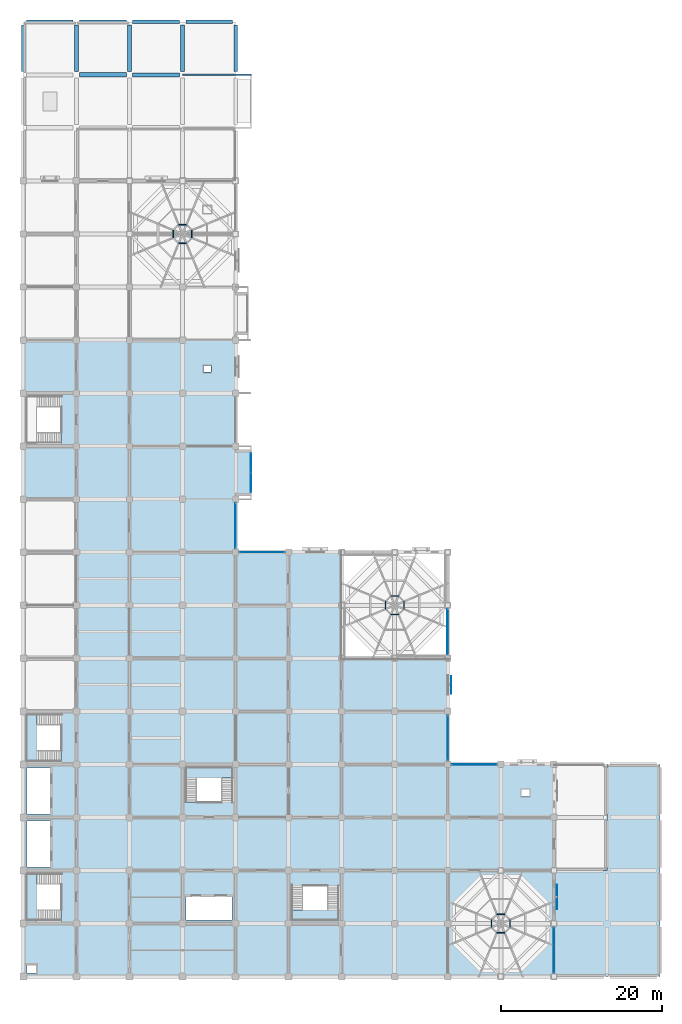
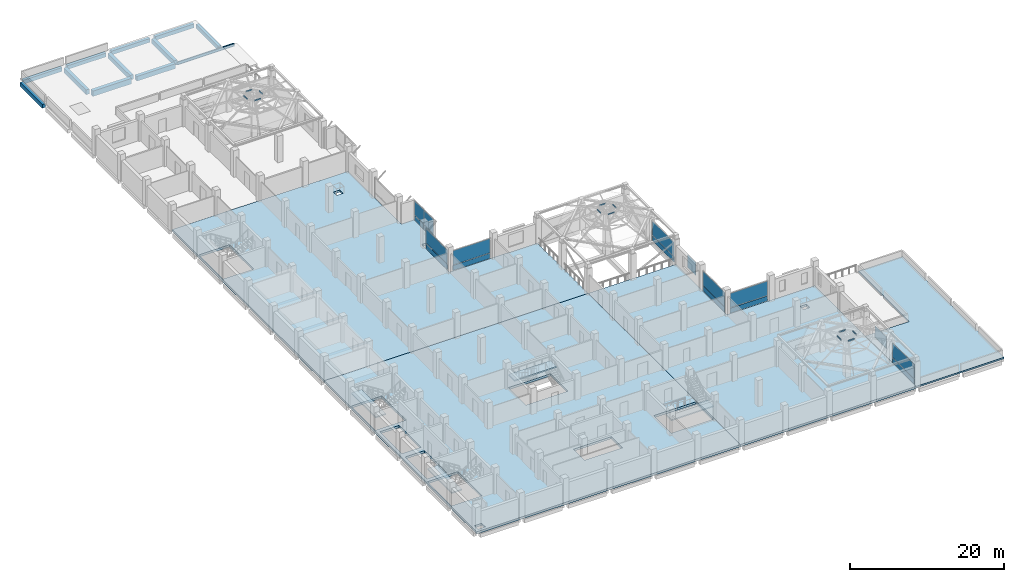
# One storey, part 12 of 25: 18 plates, 12 beams, 12 members, 8 slabs, 11 elements without a shape of their own.
"""IFC4 building model written with IfcOpenShell, lengths in metres."""

from ifc_helpers import new_model, si_unit, direction, frame, origin, origin_2d, place, context, subcontext, project, spatial, polyline, rectangle, hollow_rectangle, i_section, outline, extrude, material, layer, layer_set, material_profile, profile_set, type_object, element, aggregate, save


model = new_model("IFC4")

# Units and contexts
model_context = context("Model", 3, precision=1e-05, world=origin(), true_north=direction((0.0, 1.0)))
body_context = subcontext(model_context, "Body", "Model", "MODEL_VIEW")
ifc_project = project(units=[si_unit("LENGTHUNIT", "METRE"), si_unit("AREAUNIT", "SQUARE_METRE"), si_unit("VOLUMEUNIT", "CUBIC_METRE"), si_unit("PLANEANGLEUNIT", "RADIAN"), si_unit("MASSUNIT", "GRAM", prefix="KILO")], contexts=[model_context])

# Site, building, storey
site_placement = place(None, origin())
site = spatial("IfcSite", under=ifc_project, at=site_placement, CompositionType="ELEMENT")
building_placement = place(site_placement, origin())
building = spatial("IfcBuilding", under=site, at=building_placement, Name="Rusizi Kubbe Research Institute", CompositionType="ELEMENT")
storey_placement = place(building_placement, frame((0.0, 0.0, 14.39990234375)))
storey = spatial("IfcBuildingStorey", under=building, at=storey_placement, Name="L03", CompositionType="ELEMENT", Elevation=14.39990234375)

# Beams
ifc_material_1 = material(Name="Steel S355", Category="steel")
ifc_material_profile_1 = material_profile(ifc_material_1, i_section(OverallWidth=0.18994140625, OverallDepth=0.449951171875, WebThickness=0.009521484375, FlangeThickness=0.0146484375, at=origin_2d()), Name="IPE 450")
ifc_profile_set_1 = profile_set([ifc_material_profile_1], Name="Steel S355")
beam_type_1 = type_object("IfcBeamType", Name="BM-IPE450", PredefinedType="BEAM", material=ifc_profile_set_1)
beam_1_placement = place(storey_placement, frame((19.800048828125, 112.199951171875, -0.574951171875), z_axis=(1.0, 0.0, 0.0), x_axis=(0.0, 1.0, 0.0)))
element("IfcBeam", 1, at=beam_1_placement, inside=storey, type_object=beam_type_1, Name="Cumba Back-Spanned Cantilever Beam L03-3N", PredefinedType="BEAM", context=body_context, shape_type="SweptSolid", body=[
    extrude(i_section(OverallWidth=0.18994140625, OverallDepth=0.449951171875, WebThickness=0.009521484375, FlangeThickness=0.0146484375, at=origin_2d()), origin(), (0.0, 0.0, 1.0), 8.599853515625),
])
ifc_material_2 = material(Name="Concrete C40/50", Category="concrete")
ifc_material_profile_2 = material_profile(ifc_material_2, rectangle(XDim=0.449951171875, YDim=0.60009765625, at=origin_2d()), Name="RC450x600")
ifc_profile_set_2 = profile_set([ifc_material_profile_2], Name="Concrete C40/50")
beam_type_2 = type_object("IfcBeamType", Name="BM-RC450x600", PredefinedType="SPANDREL", material=ifc_profile_set_2)
for number, where, z_axis, x_axis, name in (
    (2, (0.39990234375, 118.800048828125, -0.64990234375), (1.0, 0.0, 0.0), (0.0, 1.0, 0.0), "Grid Beam H L03 (0,18)"),
    (3, (7.0, 118.800048828125, -0.64990234375), (1.0, 0.0, 0.0), (0.0, 1.0, 0.0), "Grid Beam H L03 (1,18)"),
):
    element("IfcBeam", number, at=place(storey_placement, frame(where, z_axis=z_axis, x_axis=x_axis)), inside=storey, type_object=beam_type_2, Name=name, PredefinedType="SPANDREL", context=body_context, shape_type="SweptSolid", body=[
        extrude(rectangle(XDim=0.449951171875, YDim=0.60009765625, at=origin_2d()), origin(), (0.0, 0.0, 1.0), 5.800048828125),
    ])
beam_2_placement = place(storey_placement, frame((13.60009765625, 118.800048828125, -0.64990234375), z_axis=(1.0, 0.0, 0.0), x_axis=(0.0, 1.0, 0.0)))
element("IfcBeam", 4, at=beam_2_placement, inside=storey, type_object=beam_type_2, Name="Grid Beam H L03 (2,18)", PredefinedType="SPANDREL", context=body_context, shape_type="SweptSolid", body=[
    extrude(rectangle(XDim=0.449951171875, YDim=0.60009765625, at=origin_2d()), origin(), (0.0, 0.0, 1.0), 5.7998046875),
])
beam_3_placement = place(storey_placement, frame((20.199951171875, 118.800048828125, -0.64990234375), z_axis=(1.0, 0.0, 0.0), x_axis=(0.0, 1.0, 0.0)))
element("IfcBeam", 5, at=beam_3_placement, inside=storey, type_object=beam_type_2, Name="Grid Beam H L03 (3,18)", PredefinedType="SPANDREL", context=body_context, shape_type="SweptSolid", body=[
    extrude(rectangle(XDim=0.449951171875, YDim=0.60009765625, at=origin_2d()), origin(), (0.0, 0.0, 1.0), 5.800048828125),
])
for number, where, z_axis, x_axis, name in (
    (6, (0.0, 112.60009765625, -0.64990234375), (0.0, 1.0, 0.0), (-1.0, 0.0, 0.0), "Grid Beam V L03 (0,17)"),
    (7, (26.39990234375, 112.60009765625, -0.64990234375), (0.0, 1.0, 0.0), (-1.0, 0.0, 0.0), "Grid Beam V L03 (4,17)"),
):
    element("IfcBeam", number, at=place(storey_placement, frame(where, z_axis=z_axis, x_axis=x_axis)), inside=storey, type_object=beam_type_2, Name=name, PredefinedType="SPANDREL", context=body_context, shape_type="SweptSolid", body=[
        extrude(rectangle(XDim=0.449951171875, YDim=0.60009765625, at=origin_2d()), origin(), (0.0, 0.0, 1.0), 5.7998046875),
    ])
ifc_material_3 = material(Name="Concrete C45/55", Category="concrete")
ifc_material_profile_3 = material_profile(ifc_material_3, rectangle(XDim=0.5, YDim=0.75, at=origin_2d()), Name="RC500x750B")
ifc_profile_set_3 = profile_set([ifc_material_profile_3], Name="Concrete C45/55")
beam_type_3 = type_object("IfcBeamType", Name="BM-RC500x750", PredefinedType="BEAM", material=ifc_profile_set_3)
for number, where, z_axis, x_axis, name in (
    (8, (13.60009765625, 112.199951171875, -0.724853515625), (1.0, 0.0, 0.0), (0.0, 1.0, 0.0), "Grid Beam H L03 (2,17)"),
    (9, (6.60009765625, 112.60009765625, -0.724853515625), (0.0, 1.0, 0.0), (-1.0, 0.0, 0.0), "Grid Beam V L03 (1,17)"),
    (10, (13.199951171875, 112.60009765625, -0.724853515625), (0.0, 1.0, 0.0), (-1.0, 0.0, 0.0), "Grid Beam V L03 (2,17)"),
    (11, (19.800048828125, 112.60009765625, -0.724853515625), (0.0, 1.0, 0.0), (-1.0, 0.0, 0.0), "Grid Beam V L03 (3,17)"),
):
    element("IfcBeam", number, at=place(storey_placement, frame(where, z_axis=z_axis, x_axis=x_axis)), inside=storey, type_object=beam_type_3, Name=name, PredefinedType="BEAM", context=body_context, shape_type="SweptSolid", body=[
        extrude(rectangle(XDim=0.5, YDim=0.75, at=origin_2d()), origin(), (0.0, 0.0, 1.0), 5.7998046875),
    ])
ifc_material_4 = material(Name="Concrete C45/55", Category="concrete")
ifc_material_profile_4 = material_profile(ifc_material_4, rectangle(XDim=0.550048828125, YDim=0.85009765625, at=origin_2d()), Name="RC550x850")
ifc_profile_set_4 = profile_set([ifc_material_profile_4], Name="Concrete C45/55")
beam_type_4 = type_object("IfcBeamType", Name="BM-RC550x850", PredefinedType="BEAM", material=ifc_profile_set_4)
beam_4_placement = place(storey_placement, frame((7.0, 112.199951171875, -0.77490234375), z_axis=(1.0, 0.0, 0.0), x_axis=(0.0, 1.0, 0.0)))
element("IfcBeam", 12, at=beam_4_placement, inside=storey, type_object=beam_type_4, Name="Grid Beam H L03 (1,17)", PredefinedType="BEAM", context=body_context, shape_type="SweptSolid", body=[
    extrude(rectangle(XDim=0.550048828125, YDim=0.85009765625, at=origin_2d()), origin(), (0.0, 0.0, 1.0), 5.800048828125),
])

# Members
ifc_material_5 = material(Name="Steel S355", Category="steel")
ifc_material_profile_5 = material_profile(ifc_material_5, hollow_rectangle(XDim=0.10009765625, YDim=0.179931640625, WallThickness=0.008056640625, at=origin_2d()), Name="RHS 180x100x8.0")
ifc_profile_set_5 = profile_set([ifc_material_profile_5], Name="Steel S355")
member_type = type_object("IfcMemberType", Name="MB-RHS180", PredefinedType="PURLIN", material=ifc_profile_set_5)
for number, where, z_axis, x_axis, name in (
    (13, (46.678466796875, 47.354736328125, 7.10009765625), (-1.0, 0.0, 0.0), (0.0, -1.0, 0.0), "Kubbe Dome Hoop Purlin Top DOME-ATR-2"),
    (14, (45.045166015625, 46.678466796875, 7.10009765625), (0.0, -1.0, 0.0), (1.0, 0.0, 0.0), "Kubbe Dome Hoop Purlin Top DOME-ATR-4"),
    (15, (45.7216796875, 45.045166015625, 7.10009765625), (1.0, 0.0, 0.0), (0.0, 1.0, 0.0), "Kubbe Dome Hoop Purlin Top DOME-ATR-6"),
    (16, (47.354736328125, 45.7216796875, 7.10009765625), (0.0, 1.0, 0.0), (-1.0, 0.0, 0.0), "Kubbe Dome Hoop Purlin Top DOME-ATR-8"),
    (17, (20.2783203125, 93.554931640625, 6.400146484375), (-1.0, 0.0, 0.0), (0.0, -1.0, 0.0), "Kubbe Dome Hoop Purlin Top DOME-NP1-2"),
    (18, (18.645263671875, 92.87841796875, 6.400146484375), (0.0, -1.0, 0.0), (1.0, 0.0, 0.0), "Kubbe Dome Hoop Purlin Top DOME-NP1-4"),
    (19, (19.321533203125, 91.2451171875, 6.400146484375), (1.0, 0.0, 0.0), (0.0, 1.0, 0.0), "Kubbe Dome Hoop Purlin Top DOME-NP1-6"),
    (20, (20.954833984375, 91.921630859375, 6.400146484375), (0.0, 1.0, 0.0), (-1.0, 0.0, 0.0), "Kubbe Dome Hoop Purlin Top DOME-NP1-8"),
    (21, (59.87841796875, 7.7548828125, 6.400146484375), (-1.0, 0.0, 0.0), (0.0, -1.0, 0.0), "Kubbe Dome Hoop Purlin Top DOME-EP1-2"),
    (22, (58.2451171875, 7.078369140625, 6.400146484375), (0.0, -1.0, 0.0), (1.0, 0.0, 0.0), "Kubbe Dome Hoop Purlin Top DOME-EP1-4"),
    (23, (58.921630859375, 5.445068359375, 6.400146484375), (1.0, 0.0, 0.0), (0.0, 1.0, 0.0), "Kubbe Dome Hoop Purlin Top DOME-EP1-6"),
    (24, (60.554931640625, 6.12158203125, 6.400146484375), (0.0, 1.0, 0.0), (-1.0, 0.0, 0.0), "Kubbe Dome Hoop Purlin Top DOME-EP1-8"),
):
    element("IfcMember", number, at=place(storey_placement, frame(where, z_axis=z_axis, x_axis=x_axis)), inside=storey, type_object=member_type, Name=name, PredefinedType="PURLIN", context=body_context, shape_type="SweptSolid", body=[
        extrude(hollow_rectangle(XDim=0.10009765625, YDim=0.179931640625, WallThickness=0.008056640625, at=origin_2d()), origin(), (0.0, 0.0, 1.0), 0.956787109375),
    ])

# Curtain wall, plate
ifc_material_6 = material(Name="Thermally Broken Aluminium and Low-E Glazing", Category="aluminium")
curtain_wall_type_1 = type_object("IfcCurtainWallType", Name="CW-06", PredefinedType="NOTDEFINED", material=ifc_material_6)
curtain_wall_1_placement = place(storey_placement, origin())
curtain_wall_1 = element("IfcCurtainWall", 25, at=curtain_wall_1_placement, inside=storey, type_object=curtain_wall_type_1, Name="Unitised Facade Curtain Wall CW-L03-H-04-08", PredefinedType="NOTDEFINED")
ifc_material_7 = material(Name="Double Low-E Solar Control Insulated Glass", Category="glass")
ifc_layer_1 = layer(ifc_material_7, 0.02392578125)
ifc_layer_set_1 = layer_set([ifc_layer_1], Name="Double Low-E Solar Control Insulated Glass")
plate_type_1 = type_object("IfcPlateType", Name="GL-01", PredefinedType="CURTAIN_PANEL", material=ifc_layer_set_1)
plate_1_placement = place(storey_placement, frame((29.699951171875, 52.800048828125, 0.93017578125), z_axis=(0.0, 0.0, 1.0), x_axis=(1.0, 0.0, 0.0)))
plate_1 = element("IfcPlate", 26, at=plate_1_placement, type_object=plate_type_1, Name="CW-06 panel 1.2", PredefinedType="CURTAIN_PANEL", context=body_context, shape_type="SweptSolid", body=[
    extrude(rectangle(XDim=5.590087890625, YDim=0.02392578125, at=origin_2d()), origin(), (0.0, 0.0, 1.0), 2.27001953125),
])

curtain_wall_2_placement = place(storey_placement, origin())
curtain_wall_2 = element("IfcCurtainWall", 27, at=curtain_wall_2_placement, inside=storey, type_object=curtain_wall_type_1, Name="Unitised Facade Curtain Wall CW-L03-V-08-04", PredefinedType="NOTDEFINED")
ifc_material_8 = material(Name="Double Low-E Solar Control Insulated Glass", Category="glass")
ifc_layer_2 = layer(ifc_material_8, 0.028076171875)
ifc_layer_set_2 = layer_set([ifc_layer_2], Name="Double Low-E Solar Control Insulated Glass")
plate_type_2 = type_object("IfcPlateType", Name="GL-02", PredefinedType="CURTAIN_PANEL", material=ifc_layer_set_2)
plate_2_placement = place(storey_placement, frame((52.800048828125, 29.699951171875, 0.93017578125), z_axis=(0.0, 0.0, 1.0), x_axis=(0.0, 1.0, 0.0)))
plate_2 = element("IfcPlate", 28, at=plate_2_placement, type_object=plate_type_2, Name="CW-06 panel 1.2", PredefinedType="CURTAIN_PANEL", context=body_context, shape_type="SweptSolid", body=[
    extrude(rectangle(XDim=5.580078125, YDim=0.028076171875, at=origin_2d()), origin(), (0.0, 0.0, 1.0), 2.27001953125),
])

curtain_wall_3_placement = place(storey_placement, origin())
curtain_wall_3 = element("IfcCurtainWall", 29, at=curtain_wall_3_placement, inside=storey, type_object=curtain_wall_type_1, Name="Unitised Facade Curtain Wall CW-L03-V-04-08", PredefinedType="NOTDEFINED")
ifc_material_9 = material(Name="Double Low-E Solar Control Insulated Glass", Category="glass")
ifc_layer_3 = layer(ifc_material_9, 0.031982421875)
ifc_layer_set_3 = layer_set([ifc_layer_3], Name="Double Low-E Solar Control Insulated Glass")
plate_type_3 = type_object("IfcPlateType", Name="GL-03", PredefinedType="CURTAIN_PANEL", material=ifc_layer_set_3)
plate_3_placement = place(storey_placement, frame((26.39990234375, 56.10009765625, 0.9326171875), z_axis=(0.0, 0.0, 1.0), x_axis=(0.0, 1.0, 0.0)))
plate_3 = element("IfcPlate", 30, at=plate_3_placement, type_object=plate_type_3, Name="CW-06 panel 1.2", PredefinedType="CURTAIN_PANEL", context=body_context, shape_type="SweptSolid", body=[
    extrude(rectangle(XDim=5.590087890625, YDim=0.031982421875, at=origin_2d()), origin(), (0.0, 0.0, 1.0), 2.262451171875),
])

curtain_wall_4_placement = place(storey_placement, origin())
curtain_wall_4 = element("IfcCurtainWall", 31, at=curtain_wall_4_placement, inside=storey, type_object=curtain_wall_type_1, Name="Unitised Facade Curtain Wall CW-L03-V-08-06", PredefinedType="NOTDEFINED")
plate_4_placement = place(storey_placement, frame((52.800048828125, 42.89990234375, 0.9326171875), z_axis=(0.0, 0.0, 1.0), x_axis=(0.0, 1.0, 0.0)))
plate_4 = element("IfcPlate", 32, at=plate_4_placement, type_object=plate_type_3, Name="CW-06 panel 1.2", PredefinedType="CURTAIN_PANEL", context=body_context, shape_type="SweptSolid", body=[
    extrude(rectangle(XDim=5.6201171875, YDim=0.031982421875, at=origin_2d()), origin(), (0.0, 0.0, 1.0), 2.262451171875),
])

# Curtain wall, plates
ifc_material_10 = material(Name="Thermally Broken Aluminium and Low-E Glazing", Category="aluminium")
curtain_wall_type_2 = type_object("IfcCurtainWallType", Name="CW-01", PredefinedType="NOTDEFINED", material=ifc_material_10)
curtain_wall_5_placement = place(storey_placement, origin())
curtain_wall_5 = element("IfcCurtainWall", 33, at=curtain_wall_5_placement, inside=storey, type_object=curtain_wall_type_2, Name="Cumba Glazed Curtain Wall CW-CUMBA-L03-035", PredefinedType="NOTDEFINED")
ifc_material_11 = material(Name="Double Low-E Solar Control Insulated Glass", Category="glass")
ifc_layer_4 = layer(ifc_material_11, 0.035888671875)
ifc_layer_set_4 = layer_set([ifc_layer_4], Name="Double Low-E Solar Control Insulated Glass")
plate_type_4 = type_object("IfcPlateType", Name="GL-04", PredefinedType="CURTAIN_PANEL", material=ifc_layer_set_4)
plate_5_placement = place(storey_placement, frame((28.300048828125, 61.461181640625, 0.93505859375), z_axis=(0.0, 0.0, 1.0), x_axis=(0.0, 1.0, 0.0)))
plate_5 = element("IfcPlate", 34, at=plate_5_placement, type_object=plate_type_4, Name="CW-01 panel 1.2", PredefinedType="CURTAIN_PANEL", context=body_context, shape_type="SweptSolid", body=[
    extrude(rectangle(XDim=2.3974609375, YDim=0.035888671875, at=origin_2d()), origin(), (0.0, 0.0, 1.0), 2.2548828125),
])
plate_6_placement = place(storey_placement, frame((28.300048828125, 63.938720703125, 0.93505859375), z_axis=(0.0, 0.0, 1.0), x_axis=(0.0, 1.0, 0.0)))
plate_6 = element("IfcPlate", 35, at=plate_6_placement, type_object=plate_type_4, Name="CW-01 panel 2.2", PredefinedType="CURTAIN_PANEL", context=body_context, shape_type="SweptSolid", body=[
    extrude(rectangle(XDim=2.3974609375, YDim=0.035888671875, at=origin_2d()), origin(), (0.0, 0.0, 1.0), 2.2548828125),
])

# Curtain wall, plate
curtain_wall_6_placement = place(storey_placement, origin())
curtain_wall_6 = element("IfcCurtainWall", 36, at=curtain_wall_6_placement, inside=storey, type_object=curtain_wall_type_1, Name="Unitised Facade Curtain Wall CW-L03-H-08-04", PredefinedType="NOTDEFINED")
plate_7_placement = place(storey_placement, frame((56.10009765625, 26.39990234375, 0.93505859375), z_axis=(0.0, 0.0, 1.0), x_axis=(1.0, 0.0, 0.0)))
plate_7 = element("IfcPlate", 37, at=plate_7_placement, type_object=plate_type_4, Name="CW-06 panel 1.2", PredefinedType="CURTAIN_PANEL", context=body_context, shape_type="SweptSolid", body=[
    extrude(rectangle(XDim=5.6201171875, YDim=0.035888671875, at=origin_2d()), origin(), (0.0, 0.0, 1.0), 2.2548828125),
])

curtain_wall_7_placement = place(storey_placement, origin())
curtain_wall_7 = element("IfcCurtainWall", 38, at=curtain_wall_7_placement, inside=storey, type_object=curtain_wall_type_1, Name="Unitised Facade Curtain Wall CW-L03-V-10-00", PredefinedType="NOTDEFINED")
ifc_material_12 = material(Name="Double Low-E Solar Control Insulated Glass", Category="glass")
ifc_layer_5 = layer(ifc_material_12, 0.0400390625)
ifc_layer_set_5 = layer_set([ifc_layer_5], Name="Double Low-E Solar Control Insulated Glass")
plate_type_5 = type_object("IfcPlateType", Name="GL-05", PredefinedType="CURTAIN_PANEL", material=ifc_layer_set_5)
plate_8_placement = place(storey_placement, frame((66.0, 3.300048828125, 0.93017578125), z_axis=(0.0, 0.0, 1.0), x_axis=(0.0, 1.0, 0.0)))
plate_8 = element("IfcPlate", 39, at=plate_8_placement, type_object=plate_type_5, Name="CW-06 panel 1.2", PredefinedType="CURTAIN_PANEL", context=body_context, shape_type="SweptSolid", body=[
    extrude(rectangle(XDim=5.610107421875, YDim=0.0400390625, at=origin_2d()), origin(), (0.0, 0.0, 1.0), 2.27001953125),
])

# Plates
ifc_material_13 = material(Name="Perforated Architectural Bronze Screen", Category="steel")
ifc_layer_6 = layer(ifc_material_13, 0.01611328125)
ifc_layer_set_6 = layer_set([ifc_layer_6], Name="Perforated Architectural Bronze Screen")
plate_type_6 = type_object("IfcPlateType", Name="MS-04", PredefinedType="SHEET", material=ifc_layer_set_6)
plate_9_placement = place(storey_placement, frame((53.22998046875, 36.300048828125, 0.760009765625), z_axis=(0.0, 0.0, 1.0), x_axis=(0.0, 1.0, 0.0)))
element("IfcPlate", 40, at=plate_9_placement, inside=storey, type_object=plate_type_6, Name="Mashrabiya Perforated Screen MS-04-039", PredefinedType="SHEET", context=body_context, shape_type="SweptSolid", body=[
    extrude(rectangle(XDim=2.199951171875, YDim=0.01611328125, at=origin_2d()), origin(), (0.0, 0.0, 1.0), 2.06005859375),
])
ifc_material_14 = material(Name="Perforated Architectural Bronze Screen", Category="steel")
ifc_layer_7 = layer(ifc_material_14, 0.02392578125)
ifc_layer_set_7 = layer_set([ifc_layer_7], Name="Perforated Architectural Bronze Screen")
plate_type_7 = type_object("IfcPlateType", Name="MS-05", PredefinedType="SHEET", material=ifc_layer_set_7)
plate_10_placement = place(storey_placement, frame((66.382568359375, 9.89990234375, 0.76025390625), z_axis=(0.0, 0.0, 1.0), x_axis=(0.0, 1.0, 0.0)))
element("IfcPlate", 41, at=plate_10_placement, inside=storey, type_object=plate_type_7, Name="Mashrabiya Perforated Screen MS-05-040", PredefinedType="SHEET", context=body_context, shape_type="SweptSolid", body=[
    extrude(rectangle(XDim=3.0, YDim=0.02392578125, at=origin_2d()), origin(), (0.0, 0.0, 1.0), 1.89990234375),
])

# Slabs
ifc_material_15 = material(Name="Concrete C40/50", Category="concrete")
ifc_layer_8 = layer(ifc_material_15, 0.35009765625)
ifc_layer_set_8 = layer_set([ifc_layer_8], Name="Concrete C40/50")
slab_type_1 = type_object("IfcSlabType", Name="SL-F350", PredefinedType="FLOOR", material=ifc_layer_set_8)
slab_1_placement = place(storey_placement, frame((0.0, 0.0, -0.349853515625)))
element("IfcSlab", 42, at=slab_1_placement, inside=storey, type_object=slab_type_1, Name="Structural Slab L03 CORE", PredefinedType="FLOOR", context=body_context, shape_type="SweptSolid", body=[
    extrude(outline(polyline([(6.60009765625, 0.0), (0.0, 0.0), (0.0, 6.60009765625), (0.0, 13.199951171875), (0.0, 19.800048828125), (0.0, 26.39990234375), (0.0, 33.0), (0.0, 39.60009765625), (6.60009765625, 39.60009765625), (13.199951171875, 39.60009765625), (19.800048828125, 39.60009765625), (26.39990234375, 39.60009765625), (33.0, 39.60009765625), (39.60009765625, 39.60009765625), (39.60009765625, 33.0), (39.60009765625, 26.39990234375), (39.60009765625, 19.800048828125), (39.60009765625, 13.199951171875), (39.60009765625, 6.60009765625), (39.60009765625, 0.0), (33.0, 0.0), (26.39990234375, 0.0), (19.800048828125, 0.0), (13.199951171875, 0.0), (6.60009765625, 0.0)]), holes=[polyline([(0.449951171875, 1.35009765625), (0.449951171875, 0.449951171875), (1.550048828125, 0.449951171875), (1.550048828125, 1.35009765625), (0.449951171875, 1.35009765625)]), polyline([(20.25, 9.949951171875), (20.25, 7.050048828125), (25.949951171875, 7.050048828125), (25.949951171875, 9.949951171875), (20.25, 9.949951171875)]), polyline([(33.139892578125, 11.300048828125), (33.139892578125, 6.739990234375), (39.4599609375, 6.739990234375), (39.4599609375, 11.300048828125), (33.139892578125, 11.300048828125)]), polyline([(0.139892578125, 13.06005859375), (0.139892578125, 6.739990234375), (4.699951171875, 6.739990234375), (4.699951171875, 13.06005859375), (0.139892578125, 13.06005859375)]), polyline([(0.449951171875, 19.35009765625), (0.449951171875, 13.64990234375), (3.35009765625, 13.64990234375), (3.35009765625, 19.35009765625), (0.449951171875, 19.35009765625)]), polyline([(0.449951171875, 25.949951171875), (0.449951171875, 20.25), (3.35009765625, 20.25), (3.35009765625, 25.949951171875), (0.449951171875, 25.949951171875)]), polyline([(19.93994140625, 26.260009765625), (19.93994140625, 21.699951171875), (26.260009765625, 21.699951171875), (26.260009765625, 26.260009765625), (19.93994140625, 26.260009765625)]), polyline([(4.699951171875, 32.860107421875), (0.139892578125, 32.860107421875), (0.139892578125, 26.5400390625), (4.699951171875, 26.5400390625), (4.699951171875, 32.860107421875)])]), origin(), (0.0, 0.0, 1.0), 0.349853515625),
])
slab_2_placement = place(storey_placement, frame((0.0, 0.0, -0.349853515625)))
element("IfcSlab", 43, at=slab_2_placement, inside=storey, type_object=slab_type_1, Name="Structural Slab L03 NORTHA", PredefinedType="FLOOR", context=body_context, shape_type="SweptSolid", body=[
    extrude(outline(polyline([(0.0, 72.60009765625), (0.0, 79.199951171875), (6.60009765625, 79.199951171875), (13.199951171875, 79.199951171875), (19.800048828125, 79.199951171875), (26.39990234375, 79.199951171875), (26.39990234375, 72.60009765625), (26.39990234375, 66.0), (26.39990234375, 65.39990234375), (28.39990234375, 65.39990234375), (28.39990234375, 60.0), (26.39990234375, 60.0), (26.39990234375, 59.39990234375), (26.39990234375, 52.800048828125), (33.0, 52.800048828125), (39.60009765625, 52.800048828125), (39.60009765625, 46.199951171875), (39.60009765625, 39.60009765625), (33.0, 39.60009765625), (26.39990234375, 39.60009765625), (19.800048828125, 39.60009765625), (13.199951171875, 39.60009765625), (6.60009765625, 39.60009765625), (0.0, 39.60009765625), (0.0, 46.199951171875), (0.0, 52.800048828125), (0.0, 59.39990234375), (0.0, 66.0), (0.0, 72.60009765625)]), holes=[polyline([(4.699951171875, 72.4599609375), (0.139892578125, 72.4599609375), (0.139892578125, 66.139892578125), (4.699951171875, 66.139892578125), (4.699951171875, 72.4599609375)]), polyline([(23.35009765625, 76.050048828125), (22.39990234375, 76.050048828125), (22.39990234375, 75.199951171875), (23.35009765625, 75.199951171875), (23.35009765625, 76.050048828125)])]), origin(), (0.0, 0.0, 1.0), 0.349853515625),
])
slab_3_placement = place(storey_placement, frame((0.0, 0.0, -0.349853515625)))
element("IfcSlab", 44, at=slab_3_placement, inside=storey, type_object=slab_type_1, Name="Structural Slab L03 EAST", PredefinedType="FLOOR", context=body_context, shape_type="SweptSolid", body=[
    extrude(outline(polyline([(39.60009765625, 26.39990234375), (39.60009765625, 33.0), (39.60009765625, 39.60009765625), (46.199951171875, 39.60009765625), (52.800048828125, 39.60009765625), (52.800048828125, 33.0), (52.800048828125, 26.39990234375), (59.39990234375, 26.39990234375), (66.0, 26.39990234375), (66.0, 19.800048828125), (66.0, 13.199951171875), (66.0, 6.60009765625), (66.0, 0.0), (59.39990234375, 0.0), (52.800048828125, 0.0), (46.199951171875, 0.0), (39.60009765625, 0.0), (39.60009765625, 6.60009765625), (39.60009765625, 13.199951171875), (39.60009765625, 19.800048828125), (39.60009765625, 26.39990234375)]), holes=[polyline([(62.0, 23.25), (62.0, 22.39990234375), (62.949951171875, 22.39990234375), (62.949951171875, 23.25), (62.0, 23.25)])]), origin(), (0.0, 0.0, 1.0), 0.349853515625),
])

# Stair, slab
ifc_material_16 = material(Name="Concrete C40/50", Category="concrete")
stair_type_1 = type_object("IfcStairType", Name="ST-H420A", PredefinedType="HALF_TURN_STAIR", material=ifc_material_16)
stair_1_placement = place(storey_placement, origin())
stair_1 = element("IfcStair", 45, at=stair_1_placement, inside=storey, type_object=stair_type_1, Name="Protected Exit Stair ST1 (L03)", PredefinedType="HALF_TURN_STAIR")
ifc_material_17 = material(Name="Concrete C40/50", Category="concrete")
ifc_layer_9 = layer(ifc_material_17, 0.195068359375)
ifc_layer_set_9 = layer_set([ifc_layer_9], Name="Concrete C40/50")
slab_type_2 = type_object("IfcSlabType", Name="SL-L195", PredefinedType="LANDING", material=ifc_layer_set_9)
slab_4_placement = place(storey_placement, frame((0.0, 0.0, 1.905029296875)))
slab_4 = element("IfcSlab", 46, at=slab_4_placement, type_object=slab_type_2, Name="ST1 landing 1", PredefinedType="LANDING", context=body_context, shape_type="SweptSolid", body=[
    extrude(outline(polyline([(1.7060546875, 13.06005859375), (0.139892578125, 13.06005859375), (0.139892578125, 6.739990234375), (1.7060546875, 6.739990234375), (1.7060546875, 13.06005859375)])), origin(), (0.0, 0.0, 1.0), 0.195068359375),
])
aggregate(stair_1, [slab_4])

stair_2_placement = place(storey_placement, origin())
stair_2 = element("IfcStair", 47, at=stair_2_placement, inside=storey, type_object=stair_type_1, Name="Protected Exit Stair ST2 (L03)", PredefinedType="HALF_TURN_STAIR")
slab_5_placement = place(storey_placement, frame((0.0, 0.0, 1.905029296875)))
slab_5 = element("IfcSlab", 48, at=slab_5_placement, type_object=slab_type_2, Name="ST2 landing 1", PredefinedType="LANDING", context=body_context, shape_type="SweptSolid", body=[
    extrude(outline(polyline([(1.7060546875, 32.860107421875), (0.139892578125, 32.860107421875), (0.139892578125, 26.5400390625), (1.7060546875, 26.5400390625), (1.7060546875, 32.860107421875)])), origin(), (0.0, 0.0, 1.0), 0.195068359375),
])
aggregate(stair_2, [slab_5])

ifc_material_18 = material(Name="Concrete C40/50", Category="concrete")
stair_type_2 = type_object("IfcStairType", Name="ST-H420B", PredefinedType="HALF_TURN_STAIR", material=ifc_material_18)
stair_3_placement = place(storey_placement, origin())
stair_3 = element("IfcStair", 49, at=stair_3_placement, inside=storey, type_object=stair_type_2, Name="Protected Exit Stair ST3 (L03)", PredefinedType="HALF_TURN_STAIR")
slab_6_placement = place(storey_placement, frame((0.0, 0.0, 1.905029296875)))
slab_6 = element("IfcSlab", 50, at=slab_6_placement, type_object=slab_type_2, Name="ST3 landing 1", PredefinedType="LANDING", context=body_context, shape_type="SweptSolid", body=[
    extrude(outline(polyline([(26.260009765625, 24.694091796875), (26.260009765625, 26.260009765625), (19.93994140625, 26.260009765625), (19.93994140625, 24.694091796875), (26.260009765625, 24.694091796875)])), origin(), (0.0, 0.0, 1.0), 0.195068359375),
])
aggregate(stair_3, [slab_6])

stair_4_placement = place(storey_placement, origin())
stair_4 = element("IfcStair", 51, at=stair_4_placement, inside=storey, type_object=stair_type_2, Name="Protected Exit Stair ST4 (L03)", PredefinedType="HALF_TURN_STAIR")
slab_7_placement = place(storey_placement, frame((0.0, 0.0, 1.905029296875)))
slab_7 = element("IfcSlab", 52, at=slab_7_placement, type_object=slab_type_2, Name="ST4 landing 1", PredefinedType="LANDING", context=body_context, shape_type="SweptSolid", body=[
    extrude(outline(polyline([(33.139892578125, 8.305908203125), (33.139892578125, 6.739990234375), (39.4599609375, 6.739990234375), (39.4599609375, 8.305908203125), (33.139892578125, 8.305908203125)])), origin(), (0.0, 0.0, 1.0), 0.195068359375),
])
aggregate(stair_4, [slab_7])

# Slab
ifc_material_19 = material(Name="Concrete C40/50", Category="concrete")
ifc_layer_10 = layer(ifc_material_19, 0.235107421875)
ifc_layer_set_10 = layer_set([ifc_layer_10], Name="Concrete C40/50")
slab_type_3 = type_object("IfcSlabType", Name="SL-R235", PredefinedType="ROOF", material=ifc_layer_set_10)
slab_8_placement = place(storey_placement, frame((0.0, 0.0, -0.23486328125)))
element("IfcSlab", 53, at=slab_8_placement, inside=storey, type_object=slab_type_3, Name="Stepback Maintenance Roof Slab L03-2", PredefinedType="ROOF", context=body_context, shape_type="SweptSolid", body=[
    extrude(outline(polyline([(72.60009765625, 19.800048828125), (72.60009765625, 26.39990234375), (79.199951171875, 26.39990234375), (79.199951171875, 19.800048828125), (79.199951171875, 13.199951171875), (79.199951171875, 6.60009765625), (79.199951171875, 0.0), (72.60009765625, 0.0), (66.0048828125, 0.0), (66.0048828125, 13.199951171875), (72.60009765625, 13.199951171875), (72.60009765625, 19.800048828125)])), origin(), (0.0, 0.0, 1.0), 0.23486328125),
])

# Plate
ifc_material_20 = material(Name="Ceramic-Frit Insulated Spandrel Panel", Category="glass")
ifc_layer_11 = layer(ifc_material_20, 0.05810546875)
ifc_layer_set_11 = layer_set([ifc_layer_11], Name="Ceramic-Frit Insulated Spandrel Panel")
plate_type_8 = type_object("IfcPlateType", Name="SP-01", PredefinedType="CURTAIN_PANEL", material=ifc_layer_set_11)
plate_11_placement = place(storey_placement, frame((29.699951171875, 52.800048828125, 0.06005859375), z_axis=(0.0, 0.0, 1.0), x_axis=(1.0, 0.0, 0.0)))
plate_11 = element("IfcPlate", 54, at=plate_11_placement, type_object=plate_type_8, Name="CW-06 panel 1.1", PredefinedType="CURTAIN_PANEL", context=body_context, shape_type="SweptSolid", body=[
    extrude(rectangle(XDim=5.590087890625, YDim=0.05810546875, at=origin_2d()), origin(), (0.0, 0.0, 1.0), 0.81005859375),
])

aggregate(curtain_wall_1, [plate_11, plate_1])

plate_12_placement = place(storey_placement, frame((66.0, 3.300048828125, 0.06005859375), z_axis=(0.0, 0.0, 1.0), x_axis=(0.0, 1.0, 0.0)))
plate_12 = element("IfcPlate", 55, at=plate_12_placement, type_object=plate_type_8, Name="CW-06 panel 1.1", PredefinedType="CURTAIN_PANEL", context=body_context, shape_type="SweptSolid", body=[
    extrude(rectangle(XDim=5.610107421875, YDim=0.05810546875, at=origin_2d()), origin(), (0.0, 0.0, 1.0), 0.81005859375),
])

aggregate(curtain_wall_7, [plate_12, plate_8])

ifc_material_21 = material(Name="Ceramic-Frit Insulated Spandrel Panel", Category="glass")
ifc_layer_12 = layer(ifc_material_21, 0.06396484375)
ifc_layer_set_12 = layer_set([ifc_layer_12], Name="Ceramic-Frit Insulated Spandrel Panel")
plate_type_9 = type_object("IfcPlateType", Name="SP-02", PredefinedType="CURTAIN_PANEL", material=ifc_layer_set_12)
plate_13_placement = place(storey_placement, frame((52.800048828125, 29.699951171875, 0.06005859375), z_axis=(0.0, 0.0, 1.0), x_axis=(0.0, 1.0, 0.0)))
plate_13 = element("IfcPlate", 56, at=plate_13_placement, type_object=plate_type_9, Name="CW-06 panel 1.1", PredefinedType="CURTAIN_PANEL", context=body_context, shape_type="SweptSolid", body=[
    extrude(rectangle(XDim=5.580078125, YDim=0.06396484375, at=origin_2d()), origin(), (0.0, 0.0, 1.0), 0.81005859375),
])

aggregate(curtain_wall_2, [plate_13, plate_2])

ifc_material_22 = material(Name="Ceramic-Frit Insulated Spandrel Panel", Category="glass")
ifc_layer_13 = layer(ifc_material_22, 0.070068359375)
ifc_layer_set_13 = layer_set([ifc_layer_13], Name="Ceramic-Frit Insulated Spandrel Panel")
plate_type_10 = type_object("IfcPlateType", Name="SP-03", PredefinedType="CURTAIN_PANEL", material=ifc_layer_set_13)
plate_14_placement = place(storey_placement, frame((26.39990234375, 56.10009765625, 0.06494140625), z_axis=(0.0, 0.0, 1.0), x_axis=(0.0, 1.0, 0.0)))
plate_14 = element("IfcPlate", 57, at=plate_14_placement, type_object=plate_type_10, Name="CW-06 panel 1.1", PredefinedType="CURTAIN_PANEL", context=body_context, shape_type="SweptSolid", body=[
    extrude(rectangle(XDim=5.590087890625, YDim=0.070068359375, at=origin_2d()), origin(), (0.0, 0.0, 1.0), 0.802490234375),
])

aggregate(curtain_wall_3, [plate_14, plate_3])

plate_15_placement = place(storey_placement, frame((52.800048828125, 42.89990234375, 0.06494140625), z_axis=(0.0, 0.0, 1.0), x_axis=(0.0, 1.0, 0.0)))
plate_15 = element("IfcPlate", 58, at=plate_15_placement, type_object=plate_type_10, Name="CW-06 panel 1.1", PredefinedType="CURTAIN_PANEL", context=body_context, shape_type="SweptSolid", body=[
    extrude(rectangle(XDim=5.6201171875, YDim=0.070068359375, at=origin_2d()), origin(), (0.0, 0.0, 1.0), 0.802490234375),
])

aggregate(curtain_wall_4, [plate_15, plate_4])

ifc_material_23 = material(Name="Ceramic-Frit Insulated Spandrel Panel", Category="glass")
ifc_layer_14 = layer(ifc_material_23, 0.075927734375)
ifc_layer_set_14 = layer_set([ifc_layer_14], Name="Ceramic-Frit Insulated Spandrel Panel")
plate_type_11 = type_object("IfcPlateType", Name="SP-04", PredefinedType="CURTAIN_PANEL", material=ifc_layer_set_14)
plate_16_placement = place(storey_placement, frame((28.300048828125, 61.461181640625, 0.070068359375), z_axis=(0.0, 0.0, 1.0), x_axis=(0.0, 1.0, 0.0)))
plate_16 = element("IfcPlate", 59, at=plate_16_placement, type_object=plate_type_11, Name="CW-01 panel 1.1", PredefinedType="CURTAIN_PANEL", context=body_context, shape_type="SweptSolid", body=[
    extrude(rectangle(XDim=2.3974609375, YDim=0.075927734375, at=origin_2d()), origin(), (0.0, 0.0, 1.0), 0.794921875),
])

plate_17_placement = place(storey_placement, frame((28.300048828125, 63.938720703125, 0.070068359375), z_axis=(0.0, 0.0, 1.0), x_axis=(0.0, 1.0, 0.0)))
plate_17 = element("IfcPlate", 60, at=plate_17_placement, type_object=plate_type_11, Name="CW-01 panel 2.1", PredefinedType="CURTAIN_PANEL", context=body_context, shape_type="SweptSolid", body=[
    extrude(rectangle(XDim=2.3974609375, YDim=0.075927734375, at=origin_2d()), origin(), (0.0, 0.0, 1.0), 0.794921875),
])

aggregate(curtain_wall_5, [plate_16, plate_5, plate_17, plate_6])

plate_18_placement = place(storey_placement, frame((56.10009765625, 26.39990234375, 0.070068359375), z_axis=(0.0, 0.0, 1.0), x_axis=(1.0, 0.0, 0.0)))
plate_18 = element("IfcPlate", 61, at=plate_18_placement, type_object=plate_type_11, Name="CW-06 panel 1.1", PredefinedType="CURTAIN_PANEL", context=body_context, shape_type="SweptSolid", body=[
    extrude(rectangle(XDim=5.6201171875, YDim=0.075927734375, at=origin_2d()), origin(), (0.0, 0.0, 1.0), 0.794921875),
])

aggregate(curtain_wall_6, [plate_18, plate_7])

save(model, "model.ifc")
